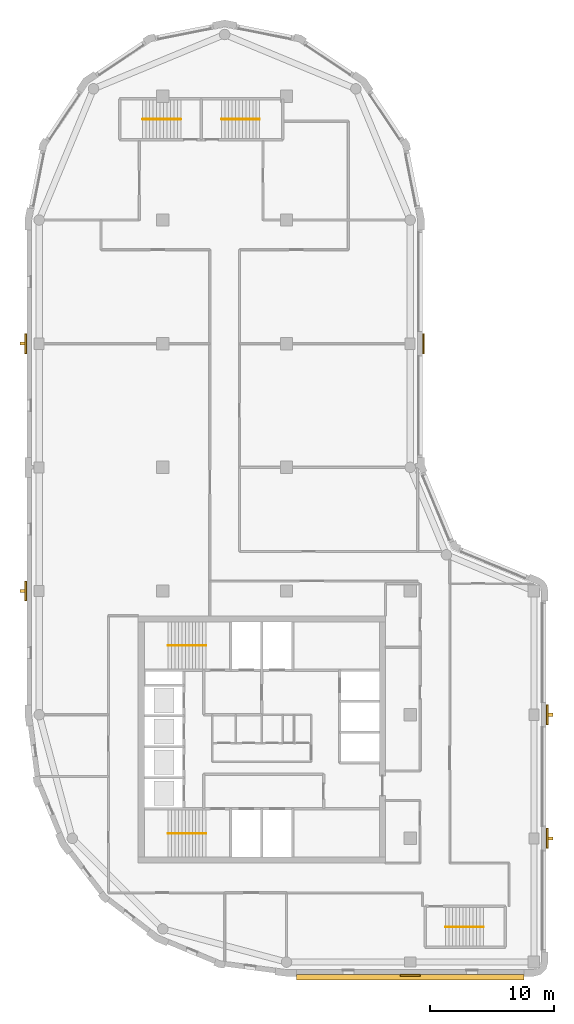
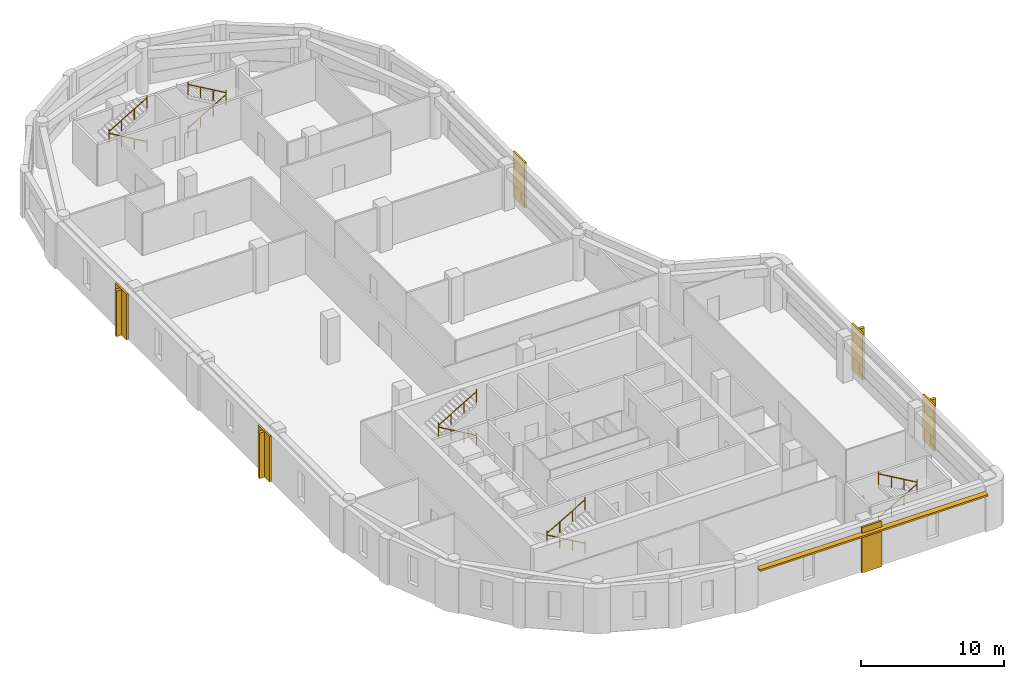
# One storey, part 7 of 8: 10 railings, 6 coverings, 5 shading devices.
"""IFC4 building model written with IfcOpenShell, lengths in metres."""

from ifc_helpers import new_model, si_unit, direction, frame, origin, origin_2d, place, context, subcontext, project, spatial, polyline, rectangle, circle, outline, extrude, material, layer, layer_set, type_object, element, save


model = new_model("IFC4")

# Units and contexts
model_context = context("Model", 3, precision=1e-05, world=origin(), true_north=direction((0.0, 1.0)))
body_context = subcontext(model_context, "Body", "Model", "MODEL_VIEW")
ifc_project = project(units=[si_unit("LENGTHUNIT", "METRE"), si_unit("AREAUNIT", "SQUARE_METRE"), si_unit("VOLUMEUNIT", "CUBIC_METRE"), si_unit("PLANEANGLEUNIT", "RADIAN"), si_unit("MASSUNIT", "GRAM", prefix="KILO")], contexts=[model_context])

# Site, building, storey
site_placement = place(None, origin())
site = spatial("IfcSite", under=ifc_project, at=site_placement, CompositionType="ELEMENT")
building_placement = place(site_placement, origin())
building = spatial("IfcBuilding", under=site, at=building_placement, Name="Qaws Garden Tower", CompositionType="ELEMENT")
storey_placement = place(building_placement, frame((0.0, 0.0, 302.10009765625)))
storey = spatial("IfcBuildingStorey", under=building, at=storey_placement, Name="L73", CompositionType="ELEMENT", Elevation=302.10009765625)

# Coverings
ifc_material_1 = material(Name="Clay facing brick masonry", Category="masonry")
ifc_layer_1 = layer(ifc_material_1, 0.14990234375)
ifc_layer_set_1 = layer_set([ifc_layer_1], Name="Clay facing brick masonry")
covering_type = type_object("IfcCoveringType", Name="Brick pilaster facing 150 x 1600", PredefinedType="CLADDING", material=ifc_layer_set_1)
placement = place(storey_placement, origin())
element("IfcCovering", 1, at=placement, inside=storey, type_object=covering_type, Name="E-L73-pier-01", PredefinedType="CLADDING", context=body_context, shape_type="SweptSolid", body=[
    extrude(outline(polyline([(29.199951171875, -1.0), (30.800048828125, -1.0), (30.800048828125, -1.14990234375), (29.199951171875, -1.14990234375), (29.199951171875, -1.0)])), origin(), (0.0, 0.0, 1.0), 3.89990234375),
])
element("IfcCovering", 2, at=placement, inside=storey, type_object=covering_type, Name="E-L73-pier-03", PredefinedType="CLADDING", context=body_context, shape_type="SweptSolid", body=[
    extrude(outline(polyline([(41.0, 9.199951171875), (41.0, 10.800048828125), (41.14990234375, 10.800048828125), (41.14990234375, 9.199951171875), (41.0, 9.199951171875)])), origin(), (0.0, 0.0, 1.0), 3.89990234375),
])
element("IfcCovering", 3, at=placement, inside=storey, type_object=covering_type, Name="E-L73-pier-04", PredefinedType="CLADDING", context=body_context, shape_type="SweptSolid", body=[
    extrude(outline(polyline([(41.0, 19.199951171875), (41.0, 20.800048828125), (41.14990234375, 20.800048828125), (41.14990234375, 19.199951171875), (41.0, 19.199951171875)])), origin(), (0.0, 0.0, 1.0), 3.89990234375),
])
element("IfcCovering", 4, at=placement, inside=storey, type_object=covering_type, Name="E-L73-pier-08", PredefinedType="CLADDING", context=body_context, shape_type="SweptSolid", body=[
    extrude(outline(polyline([(31.0, 49.199951171875), (31.0, 50.800048828125), (31.14990234375, 50.800048828125), (31.14990234375, 49.199951171875), (31.0, 49.199951171875)])), origin(), (0.0, 0.0, 1.0), 3.89990234375),
])
element("IfcCovering", 5, at=placement, inside=storey, type_object=covering_type, Name="E-L73-pier-18", PredefinedType="CLADDING", context=body_context, shape_type="SweptSolid", body=[
    extrude(outline(polyline([(-1.0, 50.800048828125), (-1.0, 49.199951171875), (-1.14990234375, 49.199951171875), (-1.14990234375, 50.800048828125), (-1.0, 50.800048828125)])), origin(), (0.0, 0.0, 1.0), 3.89990234375),
])
element("IfcCovering", 6, at=placement, inside=storey, type_object=covering_type, Name="E-L73-pier-20", PredefinedType="CLADDING", context=body_context, shape_type="SweptSolid", body=[
    extrude(outline(polyline([(-1.0, 30.800048828125), (-1.0, 29.199951171875), (-1.14990234375, 29.199951171875), (-1.14990234375, 30.800048828125), (-1.0, 30.800048828125)])), origin(), (0.0, 0.0, 1.0), 3.89990234375),
])

# Shading devices
ifc_material_2 = material(Name="Clay facing brick masonry", Category="masonry")
ifc_layer_2 = layer(ifc_material_2, 0.14990234375)
ifc_layer_set_2 = layer_set([ifc_layer_2], Name="Clay facing brick masonry")
shading_device_type_1 = type_object("IfcShadingDeviceType", Name="Brick sunshade band 450 x 150", PredefinedType="JALOUSIE", material=ifc_layer_set_2)
shading_device_placement = place(storey_placement, frame((0.0, 0.0, 3.25)))
element("IfcShadingDevice", 7, at=shading_device_placement, inside=storey, type_object=shading_device_type_1, Name="SUNSHADE 00", PredefinedType="JALOUSIE", context=body_context, shape_type="SweptSolid", body=[
    extrude(outline(polyline([(20.800048828125, -1.0), (20.800048828125, -1.449951171875), (39.199951171875, -1.449951171875), (39.199951171875, -1.0), (30.800048828125, -1.0), (30.800048828125, -1.14990234375), (29.199951171875, -1.14990234375), (29.199951171875, -1.0), (20.800048828125, -1.0)])), origin(), (0.0, 0.0, 1.0), 0.14990234375),
])
ifc_material_3 = material(Name="Clay facing brick masonry", Category="masonry")
ifc_layer_3 = layer(ifc_material_3, 0.25)
ifc_layer_set_3 = layer_set([ifc_layer_3], Name="Clay facing brick masonry")
shading_device_type_2 = type_object("IfcShadingDeviceType", Name="Brick-faced fin 250 x 400", PredefinedType="USERDEFINED", material=ifc_layer_set_3)
for number, where, z_axis, x_axis, name in (
    (8, (41.35009765625, 10.0, 0.0), (0.0, 0.0, 1.0), (0.0, 1.0, 0.0), "FIN 03"),
    (9, (41.35009765625, 20.0, 0.0), (0.0, 0.0, 1.0), (0.0, 1.0, 0.0), "FIN 04"),
    (10, (-1.35009765625, 50.0, 0.0), (0.0, 0.0, 1.0), (0.0, -1.0, 0.0), "FIN 18"),
    (11, (-1.35009765625, 30.0, 0.0), (0.0, 0.0, 1.0), (0.0, -1.0, 0.0), "FIN 20"),
):
    element("IfcShadingDevice", number, at=place(storey_placement, frame(where, z_axis=z_axis, x_axis=x_axis)), inside=storey, type_object=shading_device_type_2, Name=name, ObjectType="FIN", PredefinedType="USERDEFINED", context=body_context, shape_type="SweptSolid", body=[
        extrude(rectangle(XDim=0.25, YDim=0.39990234375, at=origin_2d()), origin(), (0.0, 0.0, 1.0), 3.89990234375),
    ])

# Railings
ifc_material_4 = material(Name="Steel S355", Category="steel")
railing_type = type_object("IfcRailingType", Name="Stair handrail 900", PredefinedType="HANDRAIL", material=ifc_material_4)
railing_1_placement = place(storey_placement, frame((13.5, 10.39990234375, 0.162353515625)))
element("IfcRailing", 12, at=railing_1_placement, inside=storey, type_object=railing_type, Name="Stair 1 handrail", PredefinedType="HANDRAIL", context=body_context, shape_type="SweptSolid", body=[
    extrude(circle(Radius=0.02392578125, at=origin_2d()), frame((0.0, 0.0, 0.8759765625), z_axis=(-0.864890721111, 0.0, 0.501960198159), x_axis=(0.0, -1.0, 0.0)), (0.0, 0.0, 1.0), 3.561279296875),
    extrude(circle(Radius=0.02099609375, at=origin_2d()), origin(), (0.0, 0.0, 1.0), 1.06201171875),
    extrude(circle(Radius=0.02099609375, at=origin_2d()), frame((-1.026611328125, 0.0, 0.595947265625)), (0.0, 0.0, 1.0), 0.851806640625),
    extrude(circle(Radius=0.02099609375, at=origin_2d()), frame((-2.053466796875, 0.0, 1.191650390625)), (0.0, 0.0, 1.0), 0.851806640625),
    extrude(circle(Radius=0.02099609375, at=origin_2d()), frame((-3.080078125, 0.0, 1.78759765625)), (0.0, 0.0, 1.0), 1.06201171875),
])
railing_2_placement = place(storey_placement, frame((10.419921875, 10.39990234375, 2.1123046875)))
element("IfcRailing", 13, at=railing_2_placement, inside=storey, type_object=railing_type, Name="Stair 1 handrail", PredefinedType="HANDRAIL", context=body_context, shape_type="SweptSolid", body=[
    extrude(circle(Radius=0.02392578125, at=origin_2d()), frame((0.0, 0.0, 0.8759765625), z_axis=(0.864890721111, 0.0, 0.501960198159), x_axis=(0.0, 1.0, 0.0)), (0.0, 0.0, 1.0), 3.561279296875),
    extrude(circle(Radius=0.02099609375, at=origin_2d()), origin(), (0.0, 0.0, 1.0), 1.06201171875),
    extrude(circle(Radius=0.02099609375, at=origin_2d()), frame((1.026611328125, 0.0, 0.595947265625)), (0.0, 0.0, 1.0), 0.851806640625),
    extrude(circle(Radius=0.02099609375, at=origin_2d()), frame((2.053466796875, 0.0, 1.191650390625)), (0.0, 0.0, 1.0), 0.851806640625),
    extrude(circle(Radius=0.02099609375, at=origin_2d()), frame((3.080078125, 0.0, 1.78759765625)), (0.0, 0.0, 1.0), 1.06201171875),
])
railing_3_placement = place(storey_placement, frame((13.5, 25.60009765625, 0.162353515625)))
element("IfcRailing", 14, at=railing_3_placement, inside=storey, type_object=railing_type, Name="Stair 4 handrail", PredefinedType="HANDRAIL", context=body_context, shape_type="SweptSolid", body=[
    extrude(circle(Radius=0.02392578125, at=origin_2d()), frame((0.0, 0.0, 0.8759765625), z_axis=(-0.864890721111, 0.0, 0.501960198159), x_axis=(0.0, -1.0, 0.0)), (0.0, 0.0, 1.0), 3.561279296875),
    extrude(circle(Radius=0.02099609375, at=origin_2d()), origin(), (0.0, 0.0, 1.0), 1.06201171875),
    extrude(circle(Radius=0.02099609375, at=origin_2d()), frame((-1.026611328125, 0.0, 0.595947265625)), (0.0, 0.0, 1.0), 0.851806640625),
    extrude(circle(Radius=0.02099609375, at=origin_2d()), frame((-2.053466796875, 0.0, 1.191650390625)), (0.0, 0.0, 1.0), 0.851806640625),
    extrude(circle(Radius=0.02099609375, at=origin_2d()), frame((-3.080078125, 0.0, 1.78759765625)), (0.0, 0.0, 1.0), 1.06201171875),
])
railing_4_placement = place(storey_placement, frame((10.419921875, 25.60009765625, 2.1123046875)))
element("IfcRailing", 15, at=railing_4_placement, inside=storey, type_object=railing_type, Name="Stair 4 handrail", PredefinedType="HANDRAIL", context=body_context, shape_type="SweptSolid", body=[
    extrude(circle(Radius=0.02392578125, at=origin_2d()), frame((0.0, 0.0, 0.8759765625), z_axis=(0.864890721111, 0.0, 0.501960198159), x_axis=(0.0, 1.0, 0.0)), (0.0, 0.0, 1.0), 3.561279296875),
    extrude(circle(Radius=0.02099609375, at=origin_2d()), origin(), (0.0, 0.0, 1.0), 1.06201171875),
    extrude(circle(Radius=0.02099609375, at=origin_2d()), frame((1.026611328125, 0.0, 0.595947265625)), (0.0, 0.0, 1.0), 0.851806640625),
    extrude(circle(Radius=0.02099609375, at=origin_2d()), frame((2.053466796875, 0.0, 1.191650390625)), (0.0, 0.0, 1.0), 0.851806640625),
    extrude(circle(Radius=0.02099609375, at=origin_2d()), frame((3.080078125, 0.0, 1.78759765625)), (0.0, 0.0, 1.0), 1.06201171875),
])
railing_5_placement = place(storey_placement, frame((32.85009765625, 2.85009765625, 0.162353515625)))
element("IfcRailing", 16, at=railing_5_placement, inside=storey, type_object=railing_type, Name="Stair 5 handrail", PredefinedType="HANDRAIL", context=body_context, shape_type="SweptSolid", body=[
    extrude(circle(Radius=0.02392578125, at=origin_2d()), frame((0.0, 0.0, 0.8759765625), z_axis=(0.864873446163, 0.0, 0.501989962173), x_axis=(0.0, 1.0, 0.0)), (0.0, 0.0, 1.0), 3.56103515625),
    extrude(circle(Radius=0.02099609375, at=origin_2d()), origin(), (0.0, 0.0, 1.0), 1.06201171875),
    extrude(circle(Radius=0.02099609375, at=origin_2d()), frame((1.026611328125, 0.0, 0.595947265625)), (0.0, 0.0, 1.0), 0.851806640625),
    extrude(circle(Radius=0.02099609375, at=origin_2d()), frame((2.05322265625, 0.0, 1.191650390625)), (0.0, 0.0, 1.0), 0.851806640625),
    extrude(circle(Radius=0.02099609375, at=origin_2d()), frame((3.079833984375, 0.0, 1.78759765625)), (0.0, 0.0, 1.0), 1.06201171875),
])
for number, where, name in (
    (17, (35.929931640625, 2.85009765625, 2.1123046875), "Stair 5 handrail"),
    (18, (11.449951171875, 68.14990234375, 0.162353515625), "Stair 6 handrail"),
):
    element("IfcRailing", number, at=place(storey_placement, frame(where)), inside=storey, type_object=railing_type, Name=name, PredefinedType="HANDRAIL", context=body_context, shape_type="SweptSolid", body=[
        extrude(circle(Radius=0.02392578125, at=origin_2d()), frame((0.0, 0.0, 0.8759765625), z_axis=(-0.864873446163, 0.0, 0.501989962173), x_axis=(0.0, -1.0, 0.0)), (0.0, 0.0, 1.0), 3.56103515625),
        extrude(circle(Radius=0.02099609375, at=origin_2d()), origin(), (0.0, 0.0, 1.0), 1.06201171875),
        extrude(circle(Radius=0.02099609375, at=origin_2d()), frame((-1.026611328125, 0.0, 0.595947265625)), (0.0, 0.0, 1.0), 0.851806640625),
        extrude(circle(Radius=0.02099609375, at=origin_2d()), frame((-2.05322265625, 0.0, 1.191650390625)), (0.0, 0.0, 1.0), 0.851806640625),
        extrude(circle(Radius=0.02099609375, at=origin_2d()), frame((-3.079833984375, 0.0, 1.78759765625)), (0.0, 0.0, 1.0), 1.06201171875),
    ])
railing_6_placement = place(storey_placement, frame((8.3701171875, 68.14990234375, 2.1123046875)))
element("IfcRailing", 19, at=railing_6_placement, inside=storey, type_object=railing_type, Name="Stair 6 handrail", PredefinedType="HANDRAIL", context=body_context, shape_type="SweptSolid", body=[
    extrude(circle(Radius=0.02392578125, at=origin_2d()), frame((0.0, 0.0, 0.8759765625), z_axis=(0.864873446163, 0.0, 0.501989962173), x_axis=(0.0, 1.0, 0.0)), (0.0, 0.0, 1.0), 3.56103515625),
    extrude(circle(Radius=0.02099609375, at=origin_2d()), origin(), (0.0, 0.0, 1.0), 1.06201171875),
    extrude(circle(Radius=0.02099609375, at=origin_2d()), frame((1.026611328125, 0.0, 0.595947265625)), (0.0, 0.0, 1.0), 0.851806640625),
    extrude(circle(Radius=0.02099609375, at=origin_2d()), frame((2.05322265625, 0.0, 1.191650390625)), (0.0, 0.0, 1.0), 0.851806640625),
    extrude(circle(Radius=0.02099609375, at=origin_2d()), frame((3.079833984375, 0.0, 1.78759765625)), (0.0, 0.0, 1.0), 1.06201171875),
])
railing_7_placement = place(storey_placement, frame((14.75, 68.14990234375, 0.162353515625)))
element("IfcRailing", 20, at=railing_7_placement, inside=storey, type_object=railing_type, Name="Stair 7 handrail", PredefinedType="HANDRAIL", context=body_context, shape_type="SweptSolid", body=[
    extrude(circle(Radius=0.02392578125, at=origin_2d()), frame((0.0, 0.0, 0.8759765625), z_axis=(0.864890721111, 0.0, 0.501960198159), x_axis=(0.0, 1.0, 0.0)), (0.0, 0.0, 1.0), 3.561279296875),
    extrude(circle(Radius=0.02099609375, at=origin_2d()), origin(), (0.0, 0.0, 1.0), 1.06201171875),
    extrude(circle(Radius=0.02099609375, at=origin_2d()), frame((1.026611328125, 0.0, 0.595947265625)), (0.0, 0.0, 1.0), 0.851806640625),
    extrude(circle(Radius=0.02099609375, at=origin_2d()), frame((2.053466796875, 0.0, 1.191650390625)), (0.0, 0.0, 1.0), 0.851806640625),
    extrude(circle(Radius=0.02099609375, at=origin_2d()), frame((3.080078125, 0.0, 1.78759765625)), (0.0, 0.0, 1.0), 1.06201171875),
])
railing_8_placement = place(storey_placement, frame((17.830078125, 68.14990234375, 2.1123046875)))
element("IfcRailing", 21, at=railing_8_placement, inside=storey, type_object=railing_type, Name="Stair 7 handrail", PredefinedType="HANDRAIL", context=body_context, shape_type="SweptSolid", body=[
    extrude(circle(Radius=0.02392578125, at=origin_2d()), frame((0.0, 0.0, 0.8759765625), z_axis=(-0.864890721111, 0.0, 0.501960198159), x_axis=(0.0, -1.0, 0.0)), (0.0, 0.0, 1.0), 3.561279296875),
    extrude(circle(Radius=0.02099609375, at=origin_2d()), origin(), (0.0, 0.0, 1.0), 1.06201171875),
    extrude(circle(Radius=0.02099609375, at=origin_2d()), frame((-1.026611328125, 0.0, 0.595947265625)), (0.0, 0.0, 1.0), 0.851806640625),
    extrude(circle(Radius=0.02099609375, at=origin_2d()), frame((-2.053466796875, 0.0, 1.191650390625)), (0.0, 0.0, 1.0), 0.851806640625),
    extrude(circle(Radius=0.02099609375, at=origin_2d()), frame((-3.080078125, 0.0, 1.78759765625)), (0.0, 0.0, 1.0), 1.06201171875),
])

save(model, "model.ifc")
